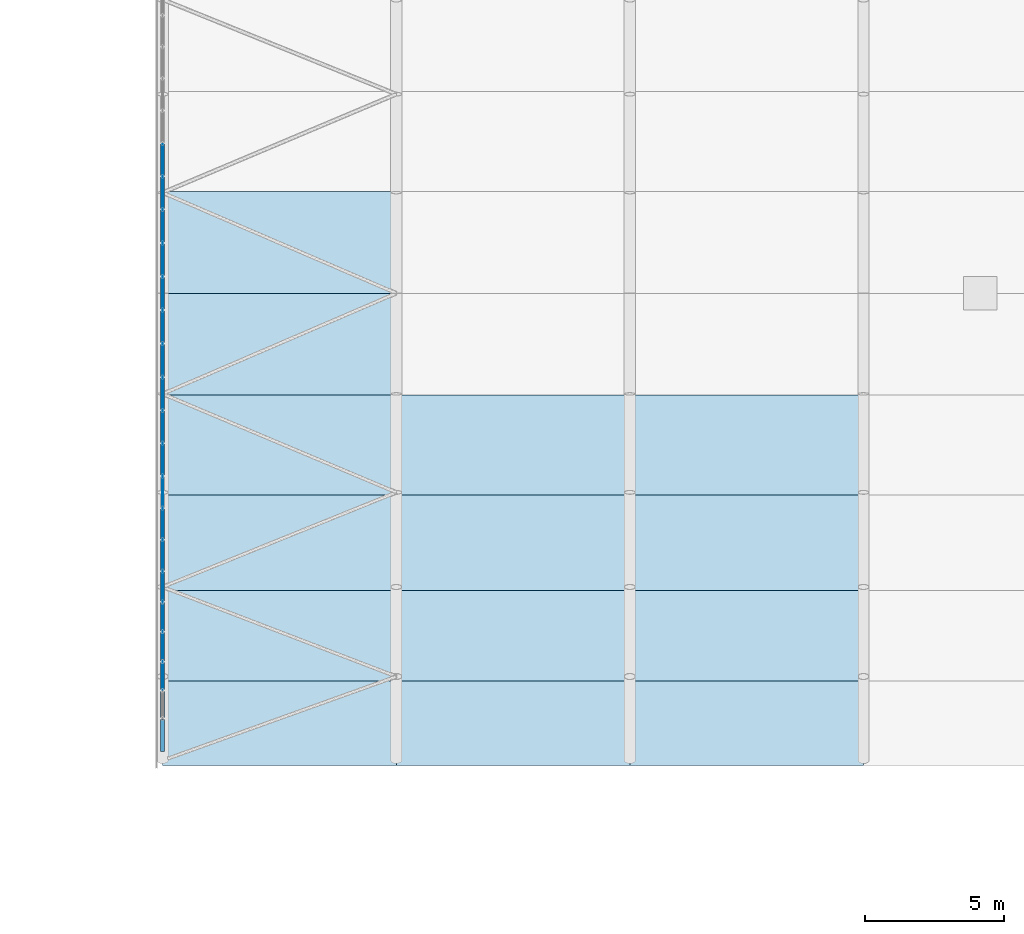
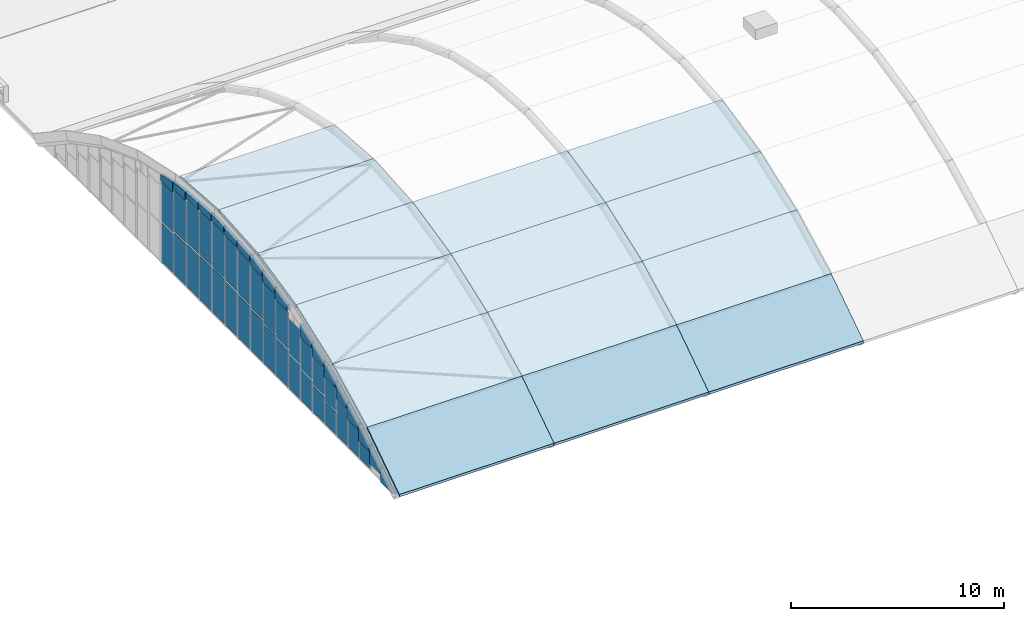
# One storey, part 50 of 77: 49 plates, 14 slabs, 1 element without a shape of its own.
"""IFC4 building model written with IfcOpenShell, lengths in metres."""

from ifc_helpers import new_model, si_unit, direction, frame, origin, origin_2d, place, context, subcontext, project, spatial, polyline, rectangle, outline, extrude, material, layer, layer_set, type_object, element, aggregate, save


model = new_model("IFC4")

# Units and contexts
model_context = context("Model", 3, precision=1e-05, world=origin(), true_north=direction((0.0, 1.0)))
body_context = subcontext(model_context, "Body", "Model", "MODEL_VIEW")
ifc_project = project(units=[si_unit("LENGTHUNIT", "METRE"), si_unit("AREAUNIT", "SQUARE_METRE"), si_unit("VOLUMEUNIT", "CUBIC_METRE"), si_unit("PLANEANGLEUNIT", "RADIAN"), si_unit("MASSUNIT", "GRAM", prefix="KILO")], contexts=[model_context])

# Site, building, storey
site_placement = place(None, origin())
site = spatial("IfcSite", under=ifc_project, at=site_placement, CompositionType="ELEMENT")
building_placement = place(site_placement, origin())
building = spatial("IfcBuilding", under=site, at=building_placement, Name="Catenary Quay Ferry Terminal", CompositionType="ELEMENT")
storey_placement = place(building_placement, frame((0.0, 0.0, 10.800048828125)))
storey = spatial("IfcBuildingStorey", under=building, at=storey_placement, Name="L02", CompositionType="ELEMENT", Elevation=10.800048828125)

# Curtain wall, plates
ifc_material_1 = material(Name="Aluminium and glass", Category="aluminium")
curtain_wall_type = type_object("IfcCurtainWallType", Name="CWA", PredefinedType="NOTDEFINED", material=ifc_material_1)
curtain_wall_placement = place(storey_placement, origin())
curtain_wall = element("IfcCurtainWall", 1, at=curtain_wall_placement, inside=storey, type_object=curtain_wall_type, Name="Arch arrivals hall curtain wall CW5", PredefinedType="NOTDEFINED")
ifc_material_2 = material(Name="Glass", Category="glass")
ifc_layer_1 = layer(ifc_material_2, 0.035888671875)
ifc_layer_set_1 = layer_set([ifc_layer_1], Name="PN4")
plate_type_1 = type_object("IfcPlateType", Name="PN4", PredefinedType="CURTAIN_PANEL", material=ifc_layer_set_1)
plate_1_placement = place(storey_placement, frame((25.199951171875, 70.23486328125, 0.099853515625), z_axis=(0.0, 0.0, 1.0), x_axis=(0.0, 1.0, 0.0)))
plate_1 = element("IfcPlate", 2, at=plate_1_placement, type_object=plate_type_1, Name="CW5 panel 2.1", PredefinedType="CURTAIN_PANEL", context=body_context, shape_type="SweptSolid", body=[
    extrude(rectangle(XDim=0.979736328125, YDim=0.035888671875, at=origin_2d()), origin(), (0.0, 0.0, 1.0), 0.91748046875),
])
plate_2_placement = place(storey_placement, frame((25.199951171875, 71.291259765625, 0.10009765625), z_axis=(0.0, 0.0, 1.0), x_axis=(0.0, 1.0, 0.0)))
plate_2 = element("IfcPlate", 3, at=plate_2_placement, type_object=plate_type_1, Name="CW5 panel 3.1", PredefinedType="CURTAIN_PANEL", context=body_context, shape_type="SweptSolid", body=[
    extrude(rectangle(XDim=1.013427734375, YDim=0.035888671875, at=origin_2d()), origin(), (0.0, 0.0, 1.0), 1.531494140625),
])
plate_3_placement = place(storey_placement, frame((25.199951171875, 72.36474609375, 0.10009765625), z_axis=(0.0, 0.0, 1.0), x_axis=(0.0, 1.0, 0.0)))
plate_3 = element("IfcPlate", 4, at=plate_3_placement, type_object=plate_type_1, Name="CW5 panel 4.1", PredefinedType="CURTAIN_PANEL", context=body_context, shape_type="SweptSolid", body=[
    extrude(rectangle(XDim=1.013427734375, YDim=0.035888671875, at=origin_2d()), origin(), (0.0, 0.0, 1.0), 2.08837890625),
])
plate_4_placement = place(storey_placement, frame((25.199951171875, 73.453125, 0.10009765625), z_axis=(0.0, 0.0, 1.0), x_axis=(0.0, 1.0, 0.0)))
plate_4 = element("IfcPlate", 5, at=plate_4_placement, type_object=plate_type_1, Name="CW5 panel 5.1", PredefinedType="CURTAIN_PANEL", context=body_context, shape_type="SweptSolid", body=[
    extrude(rectangle(XDim=1.043701171875, YDim=0.035888671875, at=origin_2d()), origin(), (0.0, 0.0, 1.0), 1.272705078125),
])
plate_5_placement = place(storey_placement, frame((25.199951171875, 73.453125, 1.47265625), z_axis=(0.0, 0.0, 1.0), x_axis=(0.0, 1.0, 0.0)))
plate_5 = element("IfcPlate", 6, at=plate_5_placement, type_object=plate_type_1, Name="CW5 panel 5.2", PredefinedType="CURTAIN_PANEL", context=body_context, shape_type="SweptSolid", body=[
    extrude(rectangle(XDim=1.043701171875, YDim=0.035888671875, at=origin_2d()), origin(), (0.0, 0.0, 1.0), 1.272705078125),
])
plate_6_placement = place(storey_placement, frame((25.199951171875, 74.572021484375, 0.099853515625), z_axis=(0.0, 0.0, 1.0), x_axis=(0.0, 1.0, 0.0)))
plate_6 = element("IfcPlate", 7, at=plate_6_placement, type_object=plate_type_1, Name="CW5 panel 6.1", PredefinedType="CURTAIN_PANEL", context=body_context, shape_type="SweptSolid", body=[
    extrude(rectangle(XDim=1.073974609375, YDim=0.035888671875, at=origin_2d()), origin(), (0.0, 0.0, 1.0), 1.51708984375),
])
plate_7_placement = place(storey_placement, frame((25.199951171875, 74.572021484375, 1.717041015625), z_axis=(0.0, 0.0, 1.0), x_axis=(0.0, 1.0, 0.0)))
plate_7 = element("IfcPlate", 8, at=plate_7_placement, type_object=plate_type_1, Name="CW5 panel 6.2", PredefinedType="CURTAIN_PANEL", context=body_context, shape_type="SweptSolid", body=[
    extrude(rectangle(XDim=1.073974609375, YDim=0.035888671875, at=origin_2d()), origin(), (0.0, 0.0, 1.0), 1.51708984375),
])
plate_8_placement = place(storey_placement, frame((25.199951171875, 75.7060546875, 0.10009765625), z_axis=(0.0, 0.0, 1.0), x_axis=(0.0, 1.0, 0.0)))
plate_8 = element("IfcPlate", 9, at=plate_8_placement, type_object=plate_type_1, Name="CW5 panel 7.1", PredefinedType="CURTAIN_PANEL", context=body_context, shape_type="SweptSolid", body=[
    extrude(rectangle(XDim=1.073974609375, YDim=0.035888671875, at=origin_2d()), origin(), (0.0, 0.0, 1.0), 1.727294921875),
])
plate_9_placement = place(storey_placement, frame((25.199951171875, 75.7060546875, 1.92724609375), z_axis=(0.0, 0.0, 1.0), x_axis=(0.0, 1.0, 0.0)))
plate_9 = element("IfcPlate", 10, at=plate_9_placement, type_object=plate_type_1, Name="CW5 panel 7.2", PredefinedType="CURTAIN_PANEL", context=body_context, shape_type="SweptSolid", body=[
    extrude(rectangle(XDim=1.073974609375, YDim=0.035888671875, at=origin_2d()), origin(), (0.0, 0.0, 1.0), 1.727294921875),
])
plate_10_placement = place(storey_placement, frame((25.199951171875, 76.8515625, 0.099853515625), z_axis=(0.0, 0.0, 1.0), x_axis=(0.0, 1.0, 0.0)))
plate_10 = element("IfcPlate", 11, at=plate_10_placement, type_object=plate_type_1, Name="CW5 panel 8.1", PredefinedType="CURTAIN_PANEL", context=body_context, shape_type="SweptSolid", body=[
    extrude(rectangle(XDim=1.097412109375, YDim=0.035888671875, at=origin_2d()), origin(), (0.0, 0.0, 1.0), 1.9375),
])
plate_11_placement = place(storey_placement, frame((25.199951171875, 76.8515625, 2.13720703125), z_axis=(0.0, 0.0, 1.0), x_axis=(0.0, 1.0, 0.0)))
plate_11 = element("IfcPlate", 12, at=plate_11_placement, type_object=plate_type_1, Name="CW5 panel 8.2", PredefinedType="CURTAIN_PANEL", context=body_context, shape_type="SweptSolid", body=[
    extrude(rectangle(XDim=1.097412109375, YDim=0.035888671875, at=origin_2d()), origin(), (0.0, 0.0, 1.0), 1.9375),
])
plate_12_placement = place(storey_placement, frame((25.199951171875, 78.020751953125, 0.10009765625), z_axis=(0.0, 0.0, 1.0), x_axis=(0.0, 1.0, 0.0)))
plate_12 = element("IfcPlate", 13, at=plate_12_placement, type_object=plate_type_1, Name="CW5 panel 9.1", PredefinedType="CURTAIN_PANEL", context=body_context, shape_type="SweptSolid", body=[
    extrude(rectangle(XDim=1.12060546875, YDim=0.035888671875, at=origin_2d()), origin(), (0.0, 0.0, 1.0), 2.108154296875),
])
plate_13_placement = place(storey_placement, frame((25.199951171875, 78.020751953125, 2.30810546875), z_axis=(0.0, 0.0, 1.0), x_axis=(0.0, 1.0, 0.0)))
plate_13 = element("IfcPlate", 14, at=plate_13_placement, type_object=plate_type_1, Name="CW5 panel 9.2", PredefinedType="CURTAIN_PANEL", context=body_context, shape_type="SweptSolid", body=[
    extrude(rectangle(XDim=1.12060546875, YDim=0.035888671875, at=origin_2d()), origin(), (0.0, 0.0, 1.0), 2.108154296875),
])
plate_14_placement = place(storey_placement, frame((25.199951171875, 79.201416015625, 0.099853515625), z_axis=(0.0, 0.0, 1.0), x_axis=(0.0, 1.0, 0.0)))
plate_14 = element("IfcPlate", 15, at=plate_14_placement, type_object=plate_type_1, Name="CW5 panel 10.1", PredefinedType="CURTAIN_PANEL", context=body_context, shape_type="SweptSolid", body=[
    extrude(rectangle(XDim=1.12060546875, YDim=0.035888671875, at=origin_2d()), origin(), (0.0, 0.0, 1.0), 2.2392578125),
])
plate_15_placement = place(storey_placement, frame((25.199951171875, 79.201416015625, 2.439208984375), z_axis=(0.0, 0.0, 1.0), x_axis=(0.0, 1.0, 0.0)))
plate_15 = element("IfcPlate", 16, at=plate_15_placement, type_object=plate_type_1, Name="CW5 panel 10.2", PredefinedType="CURTAIN_PANEL", context=body_context, shape_type="SweptSolid", body=[
    extrude(rectangle(XDim=1.12060546875, YDim=0.035888671875, at=origin_2d()), origin(), (0.0, 0.0, 1.0), 2.2392578125),
])
plate_16_placement = place(storey_placement, frame((25.199951171875, 80.388427734375, 0.10009765625), z_axis=(0.0, 0.0, 1.0), x_axis=(0.0, 1.0, 0.0)))
plate_16 = element("IfcPlate", 17, at=plate_16_placement, type_object=plate_type_1, Name="CW5 panel 11.1", PredefinedType="CURTAIN_PANEL", context=body_context, shape_type="SweptSolid", body=[
    extrude(rectangle(XDim=1.13330078125, YDim=0.035888671875, at=origin_2d()), origin(), (0.0, 0.0, 1.0), 2.370361328125),
])
plate_17_placement = place(storey_placement, frame((25.199951171875, 80.388427734375, 2.5703125), z_axis=(0.0, 0.0, 1.0), x_axis=(0.0, 1.0, 0.0)))
plate_17 = element("IfcPlate", 18, at=plate_17_placement, type_object=plate_type_1, Name="CW5 panel 11.2", PredefinedType="CURTAIN_PANEL", context=body_context, shape_type="SweptSolid", body=[
    extrude(rectangle(XDim=1.13330078125, YDim=0.035888671875, at=origin_2d()), origin(), (0.0, 0.0, 1.0), 2.370361328125),
])
plate_18_placement = place(storey_placement, frame((25.199951171875, 81.587890625, 0.10009765625), z_axis=(0.0, 0.0, 1.0), x_axis=(0.0, 1.0, 0.0)))
plate_18 = element("IfcPlate", 19, at=plate_18_placement, type_object=plate_type_1, Name="CW5 panel 12.1", PredefinedType="CURTAIN_PANEL", context=body_context, shape_type="SweptSolid", body=[
    extrude(rectangle(XDim=1.14599609375, YDim=0.035888671875, at=origin_2d()), origin(), (0.0, 0.0, 1.0), 2.458251953125),
])
plate_19_placement = place(storey_placement, frame((25.199951171875, 81.587890625, 2.658203125), z_axis=(0.0, 0.0, 1.0), x_axis=(0.0, 1.0, 0.0)))
plate_19 = element("IfcPlate", 20, at=plate_19_placement, type_object=plate_type_1, Name="CW5 panel 12.2", PredefinedType="CURTAIN_PANEL", context=body_context, shape_type="SweptSolid", body=[
    extrude(rectangle(XDim=1.14599609375, YDim=0.035888671875, at=origin_2d()), origin(), (0.0, 0.0, 1.0), 2.458251953125),
])
plate_20_placement = place(storey_placement, frame((25.199951171875, 82.7939453125, 0.10009765625), z_axis=(0.0, 0.0, 1.0), x_axis=(0.0, 1.0, 0.0)))
plate_20 = element("IfcPlate", 21, at=plate_20_placement, type_object=plate_type_1, Name="CW5 panel 13.1", PredefinedType="CURTAIN_PANEL", context=body_context, shape_type="SweptSolid", body=[
    extrude(rectangle(XDim=1.14599609375, YDim=0.035888671875, at=origin_2d()), origin(), (0.0, 0.0, 1.0), 2.5029296875),
])
plate_21_placement = place(storey_placement, frame((25.199951171875, 82.7939453125, 2.702880859375), z_axis=(0.0, 0.0, 1.0), x_axis=(0.0, 1.0, 0.0)))
plate_21 = element("IfcPlate", 22, at=plate_21_placement, type_object=plate_type_1, Name="CW5 panel 13.2", PredefinedType="CURTAIN_PANEL", context=body_context, shape_type="SweptSolid", body=[
    extrude(rectangle(XDim=1.14599609375, YDim=0.035888671875, at=origin_2d()), origin(), (0.0, 0.0, 1.0), 2.5029296875),
])
plate_22_placement = place(storey_placement, frame((25.199951171875, 84.0, 0.10009765625), z_axis=(0.0, 0.0, 1.0), x_axis=(0.0, 1.0, 0.0)))
plate_22 = element("IfcPlate", 23, at=plate_22_placement, type_object=plate_type_1, Name="CW5 panel 14.1", PredefinedType="CURTAIN_PANEL", context=body_context, shape_type="SweptSolid", body=[
    extrude(rectangle(XDim=1.14599609375, YDim=0.035888671875, at=origin_2d()), origin(), (0.0, 0.0, 1.0), 2.547607421875),
])
plate_23_placement = place(storey_placement, frame((25.199951171875, 84.0, 2.74755859375), z_axis=(0.0, 0.0, 1.0), x_axis=(0.0, 1.0, 0.0)))
plate_23 = element("IfcPlate", 24, at=plate_23_placement, type_object=plate_type_1, Name="CW5 panel 14.2", PredefinedType="CURTAIN_PANEL", context=body_context, shape_type="SweptSolid", body=[
    extrude(rectangle(XDim=1.14599609375, YDim=0.035888671875, at=origin_2d()), origin(), (0.0, 0.0, 1.0), 2.547607421875),
])
plate_24_placement = place(storey_placement, frame((25.199951171875, 85.2060546875, 0.10009765625), z_axis=(0.0, 0.0, 1.0), x_axis=(0.0, 1.0, 0.0)))
plate_24 = element("IfcPlate", 25, at=plate_24_placement, type_object=plate_type_1, Name="CW5 panel 15.1", PredefinedType="CURTAIN_PANEL", context=body_context, shape_type="SweptSolid", body=[
    extrude(rectangle(XDim=1.14599609375, YDim=0.035888671875, at=origin_2d()), origin(), (0.0, 0.0, 1.0), 2.5029296875),
])
plate_25_placement = place(storey_placement, frame((25.199951171875, 85.2060546875, 2.702880859375), z_axis=(0.0, 0.0, 1.0), x_axis=(0.0, 1.0, 0.0)))
plate_25 = element("IfcPlate", 26, at=plate_25_placement, type_object=plate_type_1, Name="CW5 panel 15.2", PredefinedType="CURTAIN_PANEL", context=body_context, shape_type="SweptSolid", body=[
    extrude(rectangle(XDim=1.14599609375, YDim=0.035888671875, at=origin_2d()), origin(), (0.0, 0.0, 1.0), 2.5029296875),
])
plate_26_placement = place(storey_placement, frame((25.199951171875, 86.412109375, 0.10009765625), z_axis=(0.0, 0.0, 1.0), x_axis=(0.0, 1.0, 0.0)))
plate_26 = element("IfcPlate", 27, at=plate_26_placement, type_object=plate_type_1, Name="CW5 panel 16.1", PredefinedType="CURTAIN_PANEL", context=body_context, shape_type="SweptSolid", body=[
    extrude(rectangle(XDim=1.14599609375, YDim=0.035888671875, at=origin_2d()), origin(), (0.0, 0.0, 1.0), 2.458251953125),
])
plate_27_placement = place(storey_placement, frame((25.199951171875, 86.412109375, 2.658203125), z_axis=(0.0, 0.0, 1.0), x_axis=(0.0, 1.0, 0.0)))
plate_27 = element("IfcPlate", 28, at=plate_27_placement, type_object=plate_type_1, Name="CW5 panel 16.2", PredefinedType="CURTAIN_PANEL", context=body_context, shape_type="SweptSolid", body=[
    extrude(rectangle(XDim=1.14599609375, YDim=0.035888671875, at=origin_2d()), origin(), (0.0, 0.0, 1.0), 2.458251953125),
])
plate_28_placement = place(storey_placement, frame((25.199951171875, 87.611572265625, 0.10009765625), z_axis=(0.0, 0.0, 1.0), x_axis=(0.0, 1.0, 0.0)))
plate_28 = element("IfcPlate", 29, at=plate_28_placement, type_object=plate_type_1, Name="CW5 panel 17.1", PredefinedType="CURTAIN_PANEL", context=body_context, shape_type="SweptSolid", body=[
    extrude(rectangle(XDim=1.13330078125, YDim=0.035888671875, at=origin_2d()), origin(), (0.0, 0.0, 1.0), 2.370361328125),
])
plate_29_placement = place(storey_placement, frame((25.199951171875, 87.611572265625, 2.5703125), z_axis=(0.0, 0.0, 1.0), x_axis=(0.0, 1.0, 0.0)))
plate_29 = element("IfcPlate", 30, at=plate_29_placement, type_object=plate_type_1, Name="CW5 panel 17.2", PredefinedType="CURTAIN_PANEL", context=body_context, shape_type="SweptSolid", body=[
    extrude(rectangle(XDim=1.13330078125, YDim=0.035888671875, at=origin_2d()), origin(), (0.0, 0.0, 1.0), 2.370361328125),
])
plate_30_placement = place(storey_placement, frame((25.199951171875, 88.798583984375, 0.099853515625), z_axis=(0.0, 0.0, 1.0), x_axis=(0.0, 1.0, 0.0)))
plate_30 = element("IfcPlate", 31, at=plate_30_placement, type_object=plate_type_1, Name="CW5 panel 18.1", PredefinedType="CURTAIN_PANEL", context=body_context, shape_type="SweptSolid", body=[
    extrude(rectangle(XDim=1.12060546875, YDim=0.035888671875, at=origin_2d()), origin(), (0.0, 0.0, 1.0), 2.2392578125),
])
plate_31_placement = place(storey_placement, frame((25.199951171875, 88.798583984375, 2.439208984375), z_axis=(0.0, 0.0, 1.0), x_axis=(0.0, 1.0, 0.0)))
plate_31 = element("IfcPlate", 32, at=plate_31_placement, type_object=plate_type_1, Name="CW5 panel 18.2", PredefinedType="CURTAIN_PANEL", context=body_context, shape_type="SweptSolid", body=[
    extrude(rectangle(XDim=1.12060546875, YDim=0.035888671875, at=origin_2d()), origin(), (0.0, 0.0, 1.0), 2.2392578125),
])
ifc_material_3 = material(Name="Ceramic tile facing on insulated backing")
ifc_layer_2 = layer(ifc_material_3, 0.14990234375)
ifc_layer_set_2 = layer_set([ifc_layer_2], Name="PN7")
plate_type_2 = type_object("IfcPlateType", Name="PN7", PredefinedType="CURTAIN_PANEL", material=ifc_layer_set_2)
plate_32_placement = place(storey_placement, frame((25.199951171875, 67.52978515625, 0.0), z_axis=(0.0, 0.0, 1.0), x_axis=(0.0, 1.0, 0.0)))
plate_32 = element("IfcPlate", 33, at=plate_32_placement, type_object=plate_type_2, Name="CW5 spandrel panel 1", PredefinedType="CURTAIN_PANEL", context=body_context, shape_type="SweptSolid", body=[
    extrude(outline(polyline([(0.0, 0.0), (1.149169921875, 0.0), (1.149169921875, 0.766357421875), (0.0, 0.0)])), frame((0.0, 0.074951171875, 0.0), z_axis=(0.0, -1.0, 0.0), x_axis=(1.0, 0.0, 0.0)), (0.0, 0.0, 1.0), 0.14990234375),
])
plate_33_placement = place(storey_placement, frame((25.199951171875, 68.739013671875, 0.446533203125), z_axis=(0.0, 0.0, 1.0), x_axis=(0.0, 1.0, 0.0)))
plate_33 = element("IfcPlate", 34, at=plate_33_placement, type_object=plate_type_2, Name="CW5 spandrel panel 2", PredefinedType="CURTAIN_PANEL", context=body_context, shape_type="SweptSolid", body=[
    extrude(outline(polyline([(0.0, 0.0), (0.946044921875, 0.0), (0.946044921875, 0.990966796875), (0.0, 0.35986328125), (0.0, 0.0)])), frame((0.0, 0.074951171875, 0.0), z_axis=(0.0, -1.0, 0.0), x_axis=(1.0, 0.0, 0.0)), (0.0, 0.0, 1.0), 0.14990234375),
])
plate_34_placement = place(storey_placement, frame((25.199951171875, 69.7451171875, 1.117431640625), z_axis=(0.0, 0.0, 1.0), x_axis=(0.0, 1.0, 0.0)))
plate_34 = element("IfcPlate", 35, at=plate_34_placement, type_object=plate_type_2, Name="CW5 spandrel panel 3", PredefinedType="CURTAIN_PANEL", context=body_context, shape_type="SweptSolid", body=[
    extrude(outline(polyline([(0.0, 0.0), (0.979736328125, 0.0), (0.979736328125, 0.9384765625), (0.0, 0.360107421875), (0.0, 0.0)])), frame((0.0, 0.074951171875, 0.0), z_axis=(0.0, -1.0, 0.0), x_axis=(1.0, 0.0, 0.0)), (0.0, 0.0, 1.0), 0.14990234375),
])
plate_35_placement = place(storey_placement, frame((25.199951171875, 70.78466796875, 1.7314453125), z_axis=(0.0, 0.0, 1.0), x_axis=(0.0, 1.0, 0.0)))
plate_35 = element("IfcPlate", 36, at=plate_35_placement, type_object=plate_type_2, Name="CW5 spandrel panel 4", PredefinedType="CURTAIN_PANEL", context=body_context, shape_type="SweptSolid", body=[
    extrude(outline(polyline([(0.0, 0.0), (1.013427734375, 0.0), (1.013427734375, 0.88134765625), (0.0, 0.35546875), (0.0, 0.0)])), frame((0.0, 0.074951171875, 0.0), z_axis=(0.0, -1.0, 0.0), x_axis=(1.0, 0.0, 0.0)), (0.0, 0.0, 1.0), 0.14990234375),
])
plate_36_placement = place(storey_placement, frame((25.199951171875, 71.85791015625, 2.288330078125), z_axis=(0.0, 0.0, 1.0), x_axis=(0.0, 1.0, 0.0)))
plate_36 = element("IfcPlate", 37, at=plate_36_placement, type_object=plate_type_2, Name="CW5 spandrel panel 5", PredefinedType="CURTAIN_PANEL", context=body_context, shape_type="SweptSolid", body=[
    extrude(outline(polyline([(0.0, 0.0), (1.013427734375, 0.0), (1.013427734375, 0.881591796875), (0.0, 0.355712890625), (0.0, 0.0)])), frame((0.0, 0.074951171875, 0.0), z_axis=(0.0, -1.0, 0.0), x_axis=(1.0, 0.0, 0.0)), (0.0, 0.0, 1.0), 0.14990234375),
])
plate_37_placement = place(storey_placement, frame((25.199951171875, 72.931396484375, 2.845458984375), z_axis=(0.0, 0.0, 1.0), x_axis=(0.0, 1.0, 0.0)))
plate_37 = element("IfcPlate", 38, at=plate_37_placement, type_object=plate_type_2, Name="CW5 spandrel panel 6", PredefinedType="CURTAIN_PANEL", context=body_context, shape_type="SweptSolid", body=[
    extrude(outline(polyline([(0.0, 0.0), (1.043701171875, 0.0), (1.043701171875, 0.817626953125), (0.0, 0.35546875), (0.0, 0.0)])), frame((0.0, 0.074951171875, 0.0), z_axis=(0.0, -1.0, 0.0), x_axis=(1.0, 0.0, 0.0)), (0.0, 0.0, 1.0), 0.14990234375),
])
plate_38_placement = place(storey_placement, frame((25.199951171875, 74.034912109375, 3.334228515625), z_axis=(0.0, 0.0, 1.0), x_axis=(0.0, 1.0, 0.0)))
plate_38 = element("IfcPlate", 39, at=plate_38_placement, type_object=plate_type_2, Name="CW5 spandrel panel 7", PredefinedType="CURTAIN_PANEL", context=body_context, shape_type="SweptSolid", body=[
    extrude(outline(polyline([(0.0, 0.0), (1.073974609375, 0.0), (1.073974609375, 0.7490234375), (0.0, 0.35107421875), (0.0, 0.0)])), frame((0.0, 0.074951171875, 0.0), z_axis=(0.0, -1.0, 0.0), x_axis=(1.0, 0.0, 0.0)), (0.0, 0.0, 1.0), 0.14990234375),
])
plate_39_placement = place(storey_placement, frame((25.199951171875, 75.1689453125, 3.75439453125), z_axis=(0.0, 0.0, 1.0), x_axis=(0.0, 1.0, 0.0)))
plate_39 = element("IfcPlate", 40, at=plate_39_placement, type_object=plate_type_2, Name="CW5 spandrel panel 8", PredefinedType="CURTAIN_PANEL", context=body_context, shape_type="SweptSolid", body=[
    extrude(outline(polyline([(0.0, 0.0), (1.073974609375, 0.0), (1.073974609375, 0.749267578125), (0.0, 0.35107421875), (0.0, 0.0)])), frame((0.0, 0.074951171875, 0.0), z_axis=(0.0, -1.0, 0.0), x_axis=(1.0, 0.0, 0.0)), (0.0, 0.0, 1.0), 0.14990234375),
])
plate_40_placement = place(storey_placement, frame((25.199951171875, 77.46044921875, 4.51611328125), z_axis=(0.0, 0.0, 1.0), x_axis=(0.0, 1.0, 0.0)))
plate_40 = element("IfcPlate", 41, at=plate_40_placement, type_object=plate_type_2, Name="CW5 spandrel panel 11", PredefinedType="CURTAIN_PANEL", context=body_context, shape_type="SweptSolid", body=[
    extrude(outline(polyline([(0.0, 0.0), (1.12060546875, 0.0), (1.12060546875, 0.595703125), (0.0, 0.3466796875), (0.0, 0.0)])), frame((0.0, 0.074951171875, 0.0), z_axis=(0.0, -1.0, 0.0), x_axis=(1.0, 0.0, 0.0)), (0.0, 0.0, 1.0), 0.14990234375),
])
plate_41_placement = place(storey_placement, frame((25.199951171875, 78.64111328125, 4.778564453125), z_axis=(0.0, 0.0, 1.0), x_axis=(0.0, 1.0, 0.0)))
plate_41 = element("IfcPlate", 42, at=plate_41_placement, type_object=plate_type_2, Name="CW5 spandrel panel 12", PredefinedType="CURTAIN_PANEL", context=body_context, shape_type="SweptSolid", body=[
    extrude(outline(polyline([(0.0, 0.0), (1.12060546875, 0.0), (1.12060546875, 0.595458984375), (0.0, 0.346435546875), (0.0, 0.0)])), frame((0.0, 0.074951171875, 0.0), z_axis=(0.0, -1.0, 0.0), x_axis=(1.0, 0.0, 0.0)), (0.0, 0.0, 1.0), 0.14990234375),
])
plate_42_placement = place(storey_placement, frame((25.199951171875, 79.82177734375, 5.040771484375), z_axis=(0.0, 0.0, 1.0), x_axis=(0.0, 1.0, 0.0)))
plate_42 = element("IfcPlate", 43, at=plate_42_placement, type_object=plate_type_2, Name="CW5 spandrel panel 13", PredefinedType="CURTAIN_PANEL", context=body_context, shape_type="SweptSolid", body=[
    extrude(outline(polyline([(0.0, 0.0), (1.13330078125, 0.0), (1.13330078125, 0.513671875), (0.0, 0.3466796875), (0.0, 0.0)])), frame((0.0, 0.074951171875, 0.0), z_axis=(0.0, -1.0, 0.0), x_axis=(1.0, 0.0, 0.0)), (0.0, 0.0, 1.0), 0.14990234375),
])
plate_43_placement = place(storey_placement, frame((25.199951171875, 81.014892578125, 5.216552734375), z_axis=(0.0, 0.0, 1.0), x_axis=(0.0, 1.0, 0.0)))
plate_43 = element("IfcPlate", 44, at=plate_43_placement, type_object=plate_type_2, Name="CW5 spandrel panel 14", PredefinedType="CURTAIN_PANEL", context=body_context, shape_type="SweptSolid", body=[
    extrude(outline(polyline([(0.0, 0.0), (1.14599609375, 0.0), (1.14599609375, 0.42724609375), (0.0, 0.34228515625), (0.0, 0.0)])), frame((0.0, 0.074951171875, 0.0), z_axis=(0.0, -1.0, 0.0), x_axis=(1.0, 0.0, 0.0)), (0.0, 0.0, 1.0), 0.14990234375),
])
plate_44_placement = place(storey_placement, frame((25.199951171875, 82.220947265625, 5.305908203125), z_axis=(0.0, 0.0, 1.0), x_axis=(0.0, 1.0, 0.0)))
plate_44 = element("IfcPlate", 45, at=plate_44_placement, type_object=plate_type_2, Name="CW5 spandrel panel 15", PredefinedType="CURTAIN_PANEL", context=body_context, shape_type="SweptSolid", body=[
    extrude(outline(polyline([(0.0, 0.0), (1.14599609375, 0.0), (1.14599609375, 0.42724609375), (0.0, 0.34228515625), (0.0, 0.0)])), frame((0.0, 0.074951171875, 0.0), z_axis=(0.0, -1.0, 0.0), x_axis=(1.0, 0.0, 0.0)), (0.0, 0.0, 1.0), 0.14990234375),
])
plate_45_placement = place(storey_placement, frame((25.199951171875, 83.427001953125, 5.395263671875), z_axis=(0.0, 0.0, 1.0), x_axis=(0.0, 1.0, 0.0)))
plate_45 = element("IfcPlate", 46, at=plate_45_placement, type_object=plate_type_2, Name="CW5 spandrel panel 16", PredefinedType="CURTAIN_PANEL", context=body_context, shape_type="SweptSolid", body=[
    extrude(outline(polyline([(0.0, 0.0), (1.14599609375, 0.0), (1.14599609375, 0.34228515625), (0.0, 0.34228515625), (0.0, 0.0)])), frame((0.0, 0.074951171875, 0.0), z_axis=(0.0, -1.0, 0.0), x_axis=(1.0, 0.0, 0.0)), (0.0, 0.0, 1.0), 0.14990234375),
])
plate_46_placement = place(storey_placement, frame((25.199951171875, 84.633056640625, 5.305908203125), z_axis=(0.0, 0.0, 1.0), x_axis=(0.0, 1.0, 0.0)))
plate_46 = element("IfcPlate", 47, at=plate_46_placement, type_object=plate_type_2, Name="CW5 spandrel panel 17", PredefinedType="CURTAIN_PANEL", context=body_context, shape_type="SweptSolid", body=[
    extrude(outline(polyline([(0.0, 0.0), (1.14599609375, 0.0), (1.14599609375, 0.34228515625), (0.0, 0.42724609375), (0.0, 0.0)])), frame((0.0, 0.074951171875, 0.0), z_axis=(0.0, -1.0, 0.0), x_axis=(1.0, 0.0, 0.0)), (0.0, 0.0, 1.0), 0.14990234375),
])
plate_47_placement = place(storey_placement, frame((25.199951171875, 85.839111328125, 5.216552734375), z_axis=(0.0, 0.0, 1.0), x_axis=(0.0, 1.0, 0.0)))
plate_47 = element("IfcPlate", 48, at=plate_47_placement, type_object=plate_type_2, Name="CW5 spandrel panel 18", PredefinedType="CURTAIN_PANEL", context=body_context, shape_type="SweptSolid", body=[
    extrude(outline(polyline([(0.0, 0.0), (1.14599609375, 0.0), (1.14599609375, 0.34228515625), (0.0, 0.42724609375), (0.0, 0.0)])), frame((0.0, 0.074951171875, 0.0), z_axis=(0.0, -1.0, 0.0), x_axis=(1.0, 0.0, 0.0)), (0.0, 0.0, 1.0), 0.14990234375),
])
plate_48_placement = place(storey_placement, frame((25.199951171875, 87.044921875, 5.040771484375), z_axis=(0.0, 0.0, 1.0), x_axis=(0.0, 1.0, 0.0)))
plate_48 = element("IfcPlate", 49, at=plate_48_placement, type_object=plate_type_2, Name="CW5 spandrel panel 19", PredefinedType="CURTAIN_PANEL", context=body_context, shape_type="SweptSolid", body=[
    extrude(outline(polyline([(0.0, 0.0), (1.13330078125, 0.0), (1.13330078125, 0.3466796875), (0.0, 0.513671875), (0.0, 0.0)])), frame((0.0, 0.074951171875, 0.0), z_axis=(0.0, -1.0, 0.0), x_axis=(1.0, 0.0, 0.0)), (0.0, 0.0, 1.0), 0.14990234375),
])
plate_49_placement = place(storey_placement, frame((25.199951171875, 88.23828125, 4.778564453125), z_axis=(0.0, 0.0, 1.0), x_axis=(0.0, 1.0, 0.0)))
plate_49 = element("IfcPlate", 50, at=plate_49_placement, type_object=plate_type_2, Name="CW5 spandrel panel 20", PredefinedType="CURTAIN_PANEL", context=body_context, shape_type="SweptSolid", body=[
    extrude(outline(polyline([(0.0, 0.0), (1.12060546875, 0.0), (1.12060546875, 0.346435546875), (0.0, 0.595458984375), (0.0, 0.0)])), frame((0.0, 0.074951171875, 0.0), z_axis=(0.0, -1.0, 0.0), x_axis=(1.0, 0.0, 0.0)), (0.0, 0.0, 1.0), 0.14990234375),
])
aggregate(curtain_wall, [plate_32, plate_33, plate_1, plate_34, plate_2, plate_35, plate_3, plate_36, plate_4, plate_5, plate_37, plate_6, plate_7, plate_38, plate_8, plate_9, plate_39, plate_10, plate_11, plate_12, plate_13, plate_40, plate_14, plate_15, plate_41, plate_16, plate_17, plate_42, plate_18, plate_19, plate_43, plate_20, plate_21, plate_44, plate_22, plate_23, plate_45, plate_24, plate_25, plate_46, plate_26, plate_27, plate_47, plate_28, plate_29, plate_48, plate_30, plate_31, plate_49])

# Slabs
ifc_material_4 = material(Name="Concrete C35/45", Category="concrete")
ifc_layer_3 = layer(ifc_material_4, 0.1201171875)
ifc_layer_set_3 = layer_set([ifc_layer_3], Name="Thin concrete shell roof slab C35/45 120")
slab_type = type_object("IfcSlabType", Name="Thin concrete shell roof slab C35/45 120", PredefinedType="ROOF", material=ifc_layer_set_3)
slab_1_placement = place(storey_placement, frame((25.199951171875, 67.020751953125, 0.268798828125), z_axis=(0.0, -0.554916543304, 0.831906022317), x_axis=(1.0, 0.0, 0.0)))
element("IfcSlab", 51, at=slab_1_placement, inside=storey, type_object=slab_type, Name="Roof shell panel VA-01-01", PredefinedType="ROOF", context=body_context, shape_type="SweptSolid", body=[
    extrude(outline(polyline([(0.0, 0.0), (8.400146484375, 0.0), (8.400146484375, 3.6455017302345123), (0.0, 3.6455017302345123), (0.0, 0.0)])), origin(), (0.0, -0.554916543304, -0.831906022317), 0.144287109375),
])
slab_2_placement = place(storey_placement, frame((25.199951171875, 70.053466796875, 2.291748046875), z_axis=(0.0, -0.460591277623, 0.887612344989), x_axis=(1.0, 0.0, 0.0)))
element("IfcSlab", 52, at=slab_2_placement, inside=storey, type_object=slab_type, Name="Roof shell panel VA-01-02", PredefinedType="ROOF", context=body_context, shape_type="SweptSolid", body=[
    extrude(outline(polyline([(0.0, 0.0), (8.400146484375, 0.0), (8.400146484375, 3.6653590805888725), (0.0, 3.6653590805888725), (0.0, 0.0)])), origin(), (0.0, -0.460591277623, -0.887612344989), 0.13525390625),
])
slab_3_placement = place(storey_placement, frame((25.199951171875, 73.306884765625, 3.97998046875), z_axis=(0.0, -0.347563490145, 0.937656451115), x_axis=(1.0, 0.0, 0.0)))
element("IfcSlab", 53, at=slab_3_placement, inside=storey, type_object=slab_type, Name="Roof shell panel VA-01-03", PredefinedType="ROOF", context=body_context, shape_type="SweptSolid", body=[
    extrude(outline(polyline([(0.0, 0.0), (8.400146484375, 0.0), (8.400146484375, 3.6702208425120975), (0.0, 3.6702208425120975), (0.0, 0.0)])), origin(), (0.0, -0.347563490145, -0.937656451115), 0.1279296875),
])
slab_4_placement = place(storey_placement, frame((25.199951171875, 76.748291015625, 5.255615234375), z_axis=(0.0, -0.216902312965, 0.97619331417), x_axis=(1.0, 0.0, 0.0)))
element("IfcSlab", 54, at=slab_4_placement, inside=storey, type_object=slab_type, Name="Roof shell panel VA-01-04", PredefinedType="ROOF", context=body_context, shape_type="SweptSolid", body=[
    extrude(outline(polyline([(0.0, 0.0), (8.400146484375, 0.0), (8.400146484375, 3.6738889000675665), (0.0, 3.6738889000675665), (0.0, 0.0)])), origin(), (0.0, -0.216902312965, -0.97619331417), 0.123046875),
])
slab_5_placement = place(storey_placement, frame((25.199951171875, 80.334716796875, 6.052490234375), z_axis=(0.0, -0.073866791849, 0.997268116938), x_axis=(1.0, 0.0, 0.0)))
element("IfcSlab", 55, at=slab_5_placement, inside=storey, type_object=slab_type, Name="Roof shell panel VA-01-05", PredefinedType="ROOF", context=body_context, shape_type="SweptSolid", body=[
    extrude(outline(polyline([(0.0, 0.0), (8.400146484375, 0.0), (8.400146484375, 3.675323757844933), (0.0, 3.675323757844933), (0.0, 0.0)])), origin(), (0.0, -0.073866791849, -0.997268116938), 0.120361328125),
])
slab_6_placement = place(storey_placement, frame((25.199951171875, 84.0, 6.323974609375), z_axis=(0.0, 0.073866791849, 0.997268116938), x_axis=(1.0, 0.0, 0.0)))
element("IfcSlab", 56, at=slab_6_placement, inside=storey, type_object=slab_type, Name="Roof shell panel VA-01-06", PredefinedType="ROOF", context=body_context, shape_type="SweptSolid", body=[
    extrude(outline(polyline([(0.0, 0.0), (8.400146484375, 0.0), (8.400146484375, 3.675323757844933), (0.0, 3.675323757844933), (0.0, 0.0)])), origin(), (0.0, 0.073866791849, -0.997268116938), 0.120361328125),
])
slab_7_placement = place(storey_placement, frame((33.60009765625, 67.020751953125, 0.268798828125), z_axis=(0.0, -0.554916543304, 0.831906022317), x_axis=(1.0, 0.0, 0.0)))
element("IfcSlab", 57, at=slab_7_placement, inside=storey, type_object=slab_type, Name="Roof shell panel VA-02-01", PredefinedType="ROOF", context=body_context, shape_type="SweptSolid", body=[
    extrude(outline(polyline([(0.0, 0.0), (8.39990234375, 0.0), (8.39990234375, 3.6455017302345123), (0.0, 3.6455017302345123), (0.0, 0.0)])), origin(), (0.0, -0.554916543304, -0.831906022317), 0.144287109375),
])
slab_8_placement = place(storey_placement, frame((33.60009765625, 70.053466796875, 2.291748046875), z_axis=(0.0, -0.460591277623, 0.887612344989), x_axis=(1.0, 0.0, 0.0)))
element("IfcSlab", 58, at=slab_8_placement, inside=storey, type_object=slab_type, Name="Roof shell panel VA-02-02", PredefinedType="ROOF", context=body_context, shape_type="SweptSolid", body=[
    extrude(outline(polyline([(0.0, 0.0), (8.39990234375, 0.0), (8.39990234375, 3.6653590805888725), (0.0, 3.6653590805888725), (0.0, 0.0)])), origin(), (0.0, -0.460591277623, -0.887612344989), 0.13525390625),
])
slab_9_placement = place(storey_placement, frame((33.60009765625, 73.306884765625, 3.97998046875), z_axis=(0.0, -0.347563490145, 0.937656451115), x_axis=(1.0, 0.0, 0.0)))
element("IfcSlab", 59, at=slab_9_placement, inside=storey, type_object=slab_type, Name="Roof shell panel VA-02-03", PredefinedType="ROOF", context=body_context, shape_type="SweptSolid", body=[
    extrude(outline(polyline([(0.0, 0.0), (8.39990234375, 0.0), (8.39990234375, 3.6702208425120975), (0.0, 3.6702208425120975), (0.0, 0.0)])), origin(), (0.0, -0.347563490145, -0.937656451115), 0.1279296875),
])
slab_10_placement = place(storey_placement, frame((33.60009765625, 76.748291015625, 5.255615234375), z_axis=(0.0, -0.216902312965, 0.97619331417), x_axis=(1.0, 0.0, 0.0)))
element("IfcSlab", 60, at=slab_10_placement, inside=storey, type_object=slab_type, Name="Roof shell panel VA-02-04", PredefinedType="ROOF", context=body_context, shape_type="SweptSolid", body=[
    extrude(outline(polyline([(0.0, 0.0), (8.39990234375, 0.0), (8.39990234375, 3.6738889000675665), (0.0, 3.6738889000675665), (0.0, 0.0)])), origin(), (0.0, -0.216902312965, -0.97619331417), 0.123046875),
])
slab_11_placement = place(storey_placement, frame((42.0, 67.020751953125, 0.268798828125), z_axis=(0.0, -0.554916543304, 0.831906022317), x_axis=(1.0, 0.0, 0.0)))
element("IfcSlab", 61, at=slab_11_placement, inside=storey, type_object=slab_type, Name="Roof shell panel VA-03-01", PredefinedType="ROOF", context=body_context, shape_type="SweptSolid", body=[
    extrude(outline(polyline([(0.0, 0.0), (8.39990234375, 0.0), (8.39990234375, 3.6455017302345123), (0.0, 3.6455017302345123), (0.0, 0.0)])), origin(), (0.0, -0.554916543304, -0.831906022317), 0.144287109375),
])
slab_12_placement = place(storey_placement, frame((42.0, 70.053466796875, 2.291748046875), z_axis=(0.0, -0.460591277623, 0.887612344989), x_axis=(1.0, 0.0, 0.0)))
element("IfcSlab", 62, at=slab_12_placement, inside=storey, type_object=slab_type, Name="Roof shell panel VA-03-02", PredefinedType="ROOF", context=body_context, shape_type="SweptSolid", body=[
    extrude(outline(polyline([(0.0, 0.0), (8.39990234375, 0.0), (8.39990234375, 3.6653590805888725), (0.0, 3.6653590805888725), (0.0, 0.0)])), origin(), (0.0, -0.460591277623, -0.887612344989), 0.13525390625),
])
slab_13_placement = place(storey_placement, frame((42.0, 73.306884765625, 3.97998046875), z_axis=(0.0, -0.347563490145, 0.937656451115), x_axis=(1.0, 0.0, 0.0)))
element("IfcSlab", 63, at=slab_13_placement, inside=storey, type_object=slab_type, Name="Roof shell panel VA-03-03", PredefinedType="ROOF", context=body_context, shape_type="SweptSolid", body=[
    extrude(outline(polyline([(0.0, 0.0), (8.39990234375, 0.0), (8.39990234375, 3.6702208425120975), (0.0, 3.6702208425120975), (0.0, 0.0)])), origin(), (0.0, -0.347563490145, -0.937656451115), 0.1279296875),
])
slab_14_placement = place(storey_placement, frame((42.0, 76.748291015625, 5.255615234375), z_axis=(0.0, -0.216902312965, 0.97619331417), x_axis=(1.0, 0.0, 0.0)))
element("IfcSlab", 64, at=slab_14_placement, inside=storey, type_object=slab_type, Name="Roof shell panel VA-03-04", PredefinedType="ROOF", context=body_context, shape_type="SweptSolid", body=[
    extrude(outline(polyline([(0.0, 0.0), (8.39990234375, 0.0), (8.39990234375, 3.6738889000675665), (0.0, 3.6738889000675665), (0.0, 0.0)])), origin(), (0.0, -0.216902312965, -0.97619331417), 0.123046875),
])

save(model, "model.ifc")
